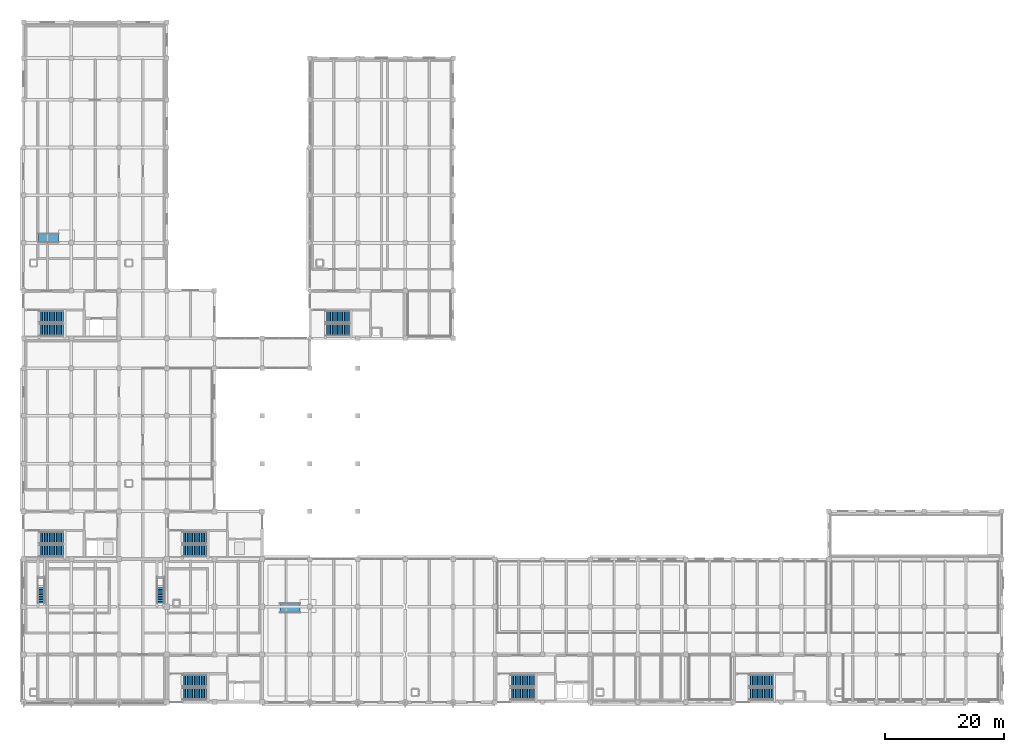
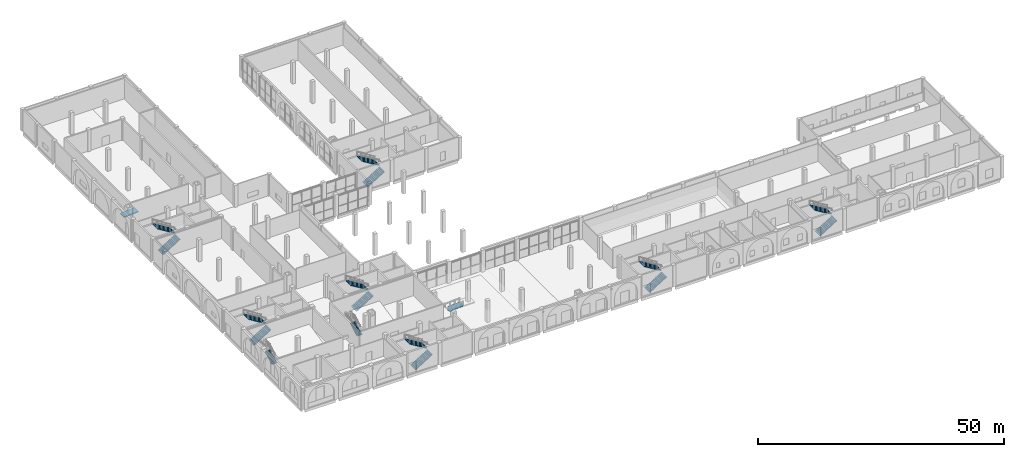
# One storey, part 26 of 40: 16 stair flights, 2 ramp flights, 11 elements without a shape of their own.
"""IFC4 building model written with IfcOpenShell, lengths in metres."""

from ifc_helpers import new_model, si_unit, direction, frame, origin, place, context, subcontext, project, spatial, polyline, outline, extrude, material, layer, layer_set, type_object, element, aggregate, save


model = new_model("IFC4")

# Units and contexts
model_context = context("Model", 3, precision=1e-05, world=origin(), true_north=direction((0.0, 1.0)))
body_context = subcontext(model_context, "Body", "Model", "MODEL_VIEW")
ifc_project = project(units=[si_unit("LENGTHUNIT", "METRE"), si_unit("AREAUNIT", "SQUARE_METRE"), si_unit("VOLUMEUNIT", "CUBIC_METRE"), si_unit("PLANEANGLEUNIT", "RADIAN"), si_unit("MASSUNIT", "GRAM", prefix="KILO")], contexts=[model_context])

# Site, building, storey
site_placement = place(None, origin())
site = spatial("IfcSite", under=ifc_project, at=site_placement, CompositionType="ELEMENT")
building_placement = place(site_placement, origin())
building = spatial("IfcBuilding", under=site, at=building_placement, Name="Qorikala Patio Media Centre", CompositionType="ELEMENT")
storey_placement = place(building_placement, origin())
storey = spatial("IfcBuildingStorey", under=building, at=storey_placement, Name="L00", CompositionType="ELEMENT", Elevation=0.0)

# Stair, stair flights
ifc_material_1 = material(Name="Precast concrete C40/50", Category="concrete")
stair_type_1 = type_object("IfcStairType", Name="ST-DL-30R180W200", PredefinedType="HALF_TURN_STAIR", material=ifc_material_1)
stair_1_placement = place(storey_placement, origin())
stair_1 = element("IfcStair", 1, at=stair_1_placement, inside=storey, type_object=stair_type_1, Name="L00 Core C1 Exit Stair ST-1", PredefinedType="HALF_TURN_STAIR")
stair_flight_type_1 = type_object("IfcStairFlightType", Name="FL-DL-15R180W200", PredefinedType="STRAIGHT", material=ifc_material_1)
stair_flight_1_placement = place(storey_placement, frame((29.60009765625, 4.39990234375, 0.0), z_axis=(0.0, 0.0, 1.0), x_axis=(1.0, 0.0, 0.0)))
stair_flight_1 = element("IfcStairFlight", 2, at=stair_flight_1_placement, type_object=stair_flight_type_1, Name="ST-1 flight 1", NumberOfRisers=15, NumberOfTreads=14, PredefinedType="STRAIGHT", RiserHeight=0.18, TreadLength=0.29, context=body_context, shape_type="SweptSolid", body=[
    extrude(outline(polyline([(0.0, 0.0), (0.0, 0.179931640625), (0.2900390625, 0.179931640625), (0.2900390625, 0.360107421875), (0.580078125, 0.360107421875), (0.580078125, 0.5400390625), (0.8701171875, 0.5400390625), (0.8701171875, 0.719970703125), (1.159912109375, 0.719970703125), (1.159912109375, 0.89990234375), (1.449951171875, 0.89990234375), (1.449951171875, 1.080078125), (1.739990234375, 1.080078125), (1.739990234375, 1.260009765625), (2.030029296875, 1.260009765625), (2.030029296875, 1.43994140625), (2.320068359375, 1.43994140625), (2.320068359375, 1.6201171875), (2.610107421875, 1.6201171875), (2.610107421875, 1.800048828125), (2.89990234375, 1.800048828125), (2.89990234375, 1.97998046875), (3.18994140625, 1.97998046875), (3.18994140625, 2.159912109375), (3.47998046875, 2.159912109375), (3.47998046875, 2.340087890625), (3.77001953125, 2.340087890625), (3.77001953125, 2.52001953125), (4.06005859375, 2.52001953125), (4.06005859375, 2.699951171875), (4.06005859375, 2.343505859375), (0.2841796875, 0.0), (0.0, 0.0)])), frame((0.0, 1.0, 0.0), z_axis=(0.0, -1.0, 0.0), x_axis=(1.0, 0.0, 0.0)), (0.0, 0.0, 1.0), 2.0),
])
stair_flight_2_placement = place(storey_placement, frame((33.659912109375, 6.60009765625, 2.699951171875), z_axis=(0.0, 0.0, 1.0), x_axis=(-1.0, 0.0, 0.0)))
stair_flight_2 = element("IfcStairFlight", 3, at=stair_flight_2_placement, type_object=stair_flight_type_1, Name="ST-1 flight 2", NumberOfRisers=15, NumberOfTreads=14, PredefinedType="STRAIGHT", RiserHeight=0.18, TreadLength=0.29, context=body_context, shape_type="SweptSolid", body=[
    extrude(outline(polyline([(0.0, 0.0), (0.0, 0.179931640625), (0.2900390625, 0.179931640625), (0.2900390625, 0.360107421875), (0.580078125, 0.360107421875), (0.580078125, 0.5400390625), (0.8701171875, 0.5400390625), (0.8701171875, 0.719970703125), (1.159912109375, 0.719970703125), (1.159912109375, 0.89990234375), (1.449951171875, 0.89990234375), (1.449951171875, 1.080078125), (1.739990234375, 1.080078125), (1.739990234375, 1.260009765625), (2.030029296875, 1.260009765625), (2.030029296875, 1.43994140625), (2.320068359375, 1.43994140625), (2.320068359375, 1.6201171875), (2.610107421875, 1.6201171875), (2.610107421875, 1.800048828125), (2.89990234375, 1.800048828125), (2.89990234375, 1.97998046875), (3.18994140625, 1.97998046875), (3.18994140625, 2.159912109375), (3.47998046875, 2.159912109375), (3.47998046875, 2.340087890625), (3.77001953125, 2.340087890625), (3.77001953125, 2.52001953125), (4.06005859375, 2.52001953125), (4.06005859375, 2.699951171875), (4.06005859375, 2.343505859375), (0.2841796875, 0.0), (0.0, 0.0)])), frame((0.0, 1.0, 0.0), z_axis=(0.0, -1.0, 0.0), x_axis=(1.0, 0.0, 0.0)), (0.0, 0.0, 1.0), 2.0),
])
aggregate(stair_1, [stair_flight_1, stair_flight_2])

stair_2_placement = place(storey_placement, origin())
stair_2 = element("IfcStair", 4, at=stair_2_placement, inside=storey, type_object=stair_type_1, Name="L00 Core C2 Exit Stair ST-2", PredefinedType="HALF_TURN_STAIR")
stair_flight_3_placement = place(storey_placement, frame((5.60009765625, 28.39990234375, 0.0), z_axis=(0.0, 0.0, 1.0), x_axis=(1.0, 0.0, 0.0)))
stair_flight_3 = element("IfcStairFlight", 5, at=stair_flight_3_placement, type_object=stair_flight_type_1, Name="ST-2 flight 1", NumberOfRisers=15, NumberOfTreads=14, PredefinedType="STRAIGHT", RiserHeight=0.18, TreadLength=0.29, context=body_context, shape_type="SweptSolid", body=[
    extrude(outline(polyline([(0.0, 0.0), (0.0, 0.179931640625), (0.2900390625, 0.179931640625), (0.2900390625, 0.360107421875), (0.580078125, 0.360107421875), (0.580078125, 0.5400390625), (0.8701171875, 0.5400390625), (0.8701171875, 0.719970703125), (1.159912109375, 0.719970703125), (1.159912109375, 0.89990234375), (1.449951171875, 0.89990234375), (1.449951171875, 1.080078125), (1.739990234375, 1.080078125), (1.739990234375, 1.260009765625), (2.030029296875, 1.260009765625), (2.030029296875, 1.43994140625), (2.320068359375, 1.43994140625), (2.320068359375, 1.6201171875), (2.610107421875, 1.6201171875), (2.610107421875, 1.800048828125), (2.89990234375, 1.800048828125), (2.89990234375, 1.97998046875), (3.18994140625, 1.97998046875), (3.18994140625, 2.159912109375), (3.47998046875, 2.159912109375), (3.47998046875, 2.340087890625), (3.77001953125, 2.340087890625), (3.77001953125, 2.52001953125), (4.06005859375, 2.52001953125), (4.06005859375, 2.699951171875), (4.06005859375, 2.343505859375), (0.2841796875, 0.0), (0.0, 0.0)])), frame((0.0, 1.0, 0.0), z_axis=(0.0, -1.0, 0.0), x_axis=(1.0, 0.0, 0.0)), (0.0, 0.0, 1.0), 2.0),
])
stair_flight_4_placement = place(storey_placement, frame((9.659912109375, 30.60009765625, 2.699951171875), z_axis=(0.0, 0.0, 1.0), x_axis=(-1.0, 0.0, 0.0)))
stair_flight_4 = element("IfcStairFlight", 6, at=stair_flight_4_placement, type_object=stair_flight_type_1, Name="ST-2 flight 2", NumberOfRisers=15, NumberOfTreads=14, PredefinedType="STRAIGHT", RiserHeight=0.18, TreadLength=0.29, context=body_context, shape_type="SweptSolid", body=[
    extrude(outline(polyline([(0.0, 0.0), (0.0, 0.179931640625), (0.2900390625, 0.179931640625), (0.2900390625, 0.360107421875), (0.580078125, 0.360107421875), (0.580078125, 0.5400390625), (0.8701171875, 0.5400390625), (0.8701171875, 0.719970703125), (1.159912109375, 0.719970703125), (1.159912109375, 0.89990234375), (1.449951171875, 0.89990234375), (1.449951171875, 1.080078125), (1.739990234375, 1.080078125), (1.739990234375, 1.260009765625), (2.030029296875, 1.260009765625), (2.030029296875, 1.43994140625), (2.320068359375, 1.43994140625), (2.320068359375, 1.6201171875), (2.610107421875, 1.6201171875), (2.610107421875, 1.800048828125), (2.89990234375, 1.800048828125), (2.89990234375, 1.97998046875), (3.18994140625, 1.97998046875), (3.18994140625, 2.159912109375), (3.47998046875, 2.159912109375), (3.47998046875, 2.340087890625), (3.77001953125, 2.340087890625), (3.77001953125, 2.52001953125), (4.06005859375, 2.52001953125), (4.06005859375, 2.699951171875), (4.06005859375, 2.343505859375), (0.2841796875, 0.0), (0.0, 0.0)])), frame((0.0, 1.0, 0.0), z_axis=(0.0, -1.0, 0.0), x_axis=(1.0, 0.0, 0.0)), (0.0, 0.0, 1.0), 2.0),
])
aggregate(stair_2, [stair_flight_3, stair_flight_4])

stair_3_placement = place(storey_placement, origin())
stair_3 = element("IfcStair", 7, at=stair_3_placement, inside=storey, type_object=stair_type_1, Name="L00 Core C3 Exit Stair ST-3", PredefinedType="HALF_TURN_STAIR")
stair_flight_5_placement = place(storey_placement, frame((5.60009765625, 65.39990234375, 0.0), z_axis=(0.0, 0.0, 1.0), x_axis=(1.0, 0.0, 0.0)))
stair_flight_5 = element("IfcStairFlight", 8, at=stair_flight_5_placement, type_object=stair_flight_type_1, Name="ST-3 flight 1", NumberOfRisers=15, NumberOfTreads=14, PredefinedType="STRAIGHT", RiserHeight=0.18, TreadLength=0.29, context=body_context, shape_type="SweptSolid", body=[
    extrude(outline(polyline([(0.0, 0.0), (0.0, 0.179931640625), (0.2900390625, 0.179931640625), (0.2900390625, 0.360107421875), (0.580078125, 0.360107421875), (0.580078125, 0.5400390625), (0.8701171875, 0.5400390625), (0.8701171875, 0.719970703125), (1.159912109375, 0.719970703125), (1.159912109375, 0.89990234375), (1.449951171875, 0.89990234375), (1.449951171875, 1.080078125), (1.739990234375, 1.080078125), (1.739990234375, 1.260009765625), (2.030029296875, 1.260009765625), (2.030029296875, 1.43994140625), (2.320068359375, 1.43994140625), (2.320068359375, 1.6201171875), (2.610107421875, 1.6201171875), (2.610107421875, 1.800048828125), (2.89990234375, 1.800048828125), (2.89990234375, 1.97998046875), (3.18994140625, 1.97998046875), (3.18994140625, 2.159912109375), (3.47998046875, 2.159912109375), (3.47998046875, 2.340087890625), (3.77001953125, 2.340087890625), (3.77001953125, 2.52001953125), (4.06005859375, 2.52001953125), (4.06005859375, 2.699951171875), (4.06005859375, 2.343505859375), (0.2841796875, 0.0), (0.0, 0.0)])), frame((0.0, 1.0, 0.0), z_axis=(0.0, -1.0, 0.0), x_axis=(1.0, 0.0, 0.0)), (0.0, 0.0, 1.0), 2.0),
])
stair_flight_6_placement = place(storey_placement, frame((9.659912109375, 67.60009765625, 2.699951171875), z_axis=(0.0, 0.0, 1.0), x_axis=(-1.0, 0.0, 0.0)))
stair_flight_6 = element("IfcStairFlight", 9, at=stair_flight_6_placement, type_object=stair_flight_type_1, Name="ST-3 flight 2", NumberOfRisers=15, NumberOfTreads=14, PredefinedType="STRAIGHT", RiserHeight=0.18, TreadLength=0.29, context=body_context, shape_type="SweptSolid", body=[
    extrude(outline(polyline([(0.0, 0.0), (0.0, 0.179931640625), (0.2900390625, 0.179931640625), (0.2900390625, 0.360107421875), (0.580078125, 0.360107421875), (0.580078125, 0.5400390625), (0.8701171875, 0.5400390625), (0.8701171875, 0.719970703125), (1.159912109375, 0.719970703125), (1.159912109375, 0.89990234375), (1.449951171875, 0.89990234375), (1.449951171875, 1.080078125), (1.739990234375, 1.080078125), (1.739990234375, 1.260009765625), (2.030029296875, 1.260009765625), (2.030029296875, 1.43994140625), (2.320068359375, 1.43994140625), (2.320068359375, 1.6201171875), (2.610107421875, 1.6201171875), (2.610107421875, 1.800048828125), (2.89990234375, 1.800048828125), (2.89990234375, 1.97998046875), (3.18994140625, 1.97998046875), (3.18994140625, 2.159912109375), (3.47998046875, 2.159912109375), (3.47998046875, 2.340087890625), (3.77001953125, 2.340087890625), (3.77001953125, 2.52001953125), (4.06005859375, 2.52001953125), (4.06005859375, 2.699951171875), (4.06005859375, 2.343505859375), (0.2841796875, 0.0), (0.0, 0.0)])), frame((0.0, 1.0, 0.0), z_axis=(0.0, -1.0, 0.0), x_axis=(1.0, 0.0, 0.0)), (0.0, 0.0, 1.0), 2.0),
])
aggregate(stair_3, [stair_flight_5, stair_flight_6])

stair_4_placement = place(storey_placement, origin())
stair_4 = element("IfcStair", 10, at=stair_4_placement, inside=storey, type_object=stair_type_1, Name="L00 Core C4 Exit Stair ST-4", PredefinedType="HALF_TURN_STAIR")
stair_flight_7_placement = place(storey_placement, frame((84.60009765625, 4.39990234375, 0.0), z_axis=(0.0, 0.0, 1.0), x_axis=(1.0, 0.0, 0.0)))
stair_flight_7 = element("IfcStairFlight", 11, at=stair_flight_7_placement, type_object=stair_flight_type_1, Name="ST-4 flight 1", NumberOfRisers=15, NumberOfTreads=14, PredefinedType="STRAIGHT", RiserHeight=0.18, TreadLength=0.29, context=body_context, shape_type="SweptSolid", body=[
    extrude(outline(polyline([(0.0, 0.0), (0.0, 0.179931640625), (0.2900390625, 0.179931640625), (0.2900390625, 0.360107421875), (0.580078125, 0.360107421875), (0.580078125, 0.5400390625), (0.8701171875, 0.5400390625), (0.8701171875, 0.719970703125), (1.159912109375, 0.719970703125), (1.159912109375, 0.89990234375), (1.449951171875, 0.89990234375), (1.449951171875, 1.080078125), (1.739990234375, 1.080078125), (1.739990234375, 1.260009765625), (2.030029296875, 1.260009765625), (2.030029296875, 1.43994140625), (2.320068359375, 1.43994140625), (2.320068359375, 1.6201171875), (2.610107421875, 1.6201171875), (2.610107421875, 1.800048828125), (2.89990234375, 1.800048828125), (2.89990234375, 1.97998046875), (3.18994140625, 1.97998046875), (3.18994140625, 2.159912109375), (3.47998046875, 2.159912109375), (3.47998046875, 2.340087890625), (3.77001953125, 2.340087890625), (3.77001953125, 2.52001953125), (4.06005859375, 2.52001953125), (4.06005859375, 2.699951171875), (4.06005859375, 2.343505859375), (0.2841796875, 0.0), (0.0, 0.0)])), frame((0.0, 1.0, 0.0), z_axis=(0.0, -1.0, 0.0), x_axis=(1.0, 0.0, 0.0)), (0.0, 0.0, 1.0), 2.0),
])
stair_flight_8_placement = place(storey_placement, frame((88.659912109375, 6.60009765625, 2.699951171875), z_axis=(0.0, 0.0, 1.0), x_axis=(-1.0, 0.0, 0.0)))
stair_flight_8 = element("IfcStairFlight", 12, at=stair_flight_8_placement, type_object=stair_flight_type_1, Name="ST-4 flight 2", NumberOfRisers=15, NumberOfTreads=14, PredefinedType="STRAIGHT", RiserHeight=0.18, TreadLength=0.29, context=body_context, shape_type="SweptSolid", body=[
    extrude(outline(polyline([(0.0, 0.0), (0.0, 0.179931640625), (0.2900390625, 0.179931640625), (0.2900390625, 0.360107421875), (0.580078125, 0.360107421875), (0.580078125, 0.5400390625), (0.8701171875, 0.5400390625), (0.8701171875, 0.719970703125), (1.159912109375, 0.719970703125), (1.159912109375, 0.89990234375), (1.449951171875, 0.89990234375), (1.449951171875, 1.080078125), (1.739990234375, 1.080078125), (1.739990234375, 1.260009765625), (2.030029296875, 1.260009765625), (2.030029296875, 1.43994140625), (2.320068359375, 1.43994140625), (2.320068359375, 1.6201171875), (2.610107421875, 1.6201171875), (2.610107421875, 1.800048828125), (2.89990234375, 1.800048828125), (2.89990234375, 1.97998046875), (3.18994140625, 1.97998046875), (3.18994140625, 2.159912109375), (3.47998046875, 2.159912109375), (3.47998046875, 2.340087890625), (3.77001953125, 2.340087890625), (3.77001953125, 2.52001953125), (4.06005859375, 2.52001953125), (4.06005859375, 2.699951171875), (4.06005859375, 2.343505859375), (0.2841796875, 0.0), (0.0, 0.0)])), frame((0.0, 1.0, 0.0), z_axis=(0.0, -1.0, 0.0), x_axis=(1.0, 0.0, 0.0)), (0.0, 0.0, 1.0), 2.0),
])
aggregate(stair_4, [stair_flight_7, stair_flight_8])

stair_5_placement = place(storey_placement, origin())
stair_5 = element("IfcStair", 13, at=stair_5_placement, inside=storey, type_object=stair_type_1, Name="L00 Core C5 Exit Stair ST-5", PredefinedType="HALF_TURN_STAIR")
stair_flight_9_placement = place(storey_placement, frame((29.60009765625, 28.39990234375, 0.0), z_axis=(0.0, 0.0, 1.0), x_axis=(1.0, 0.0, 0.0)))
stair_flight_9 = element("IfcStairFlight", 14, at=stair_flight_9_placement, type_object=stair_flight_type_1, Name="ST-5 flight 1", NumberOfRisers=15, NumberOfTreads=14, PredefinedType="STRAIGHT", RiserHeight=0.18, TreadLength=0.29, context=body_context, shape_type="SweptSolid", body=[
    extrude(outline(polyline([(0.0, 0.0), (0.0, 0.179931640625), (0.2900390625, 0.179931640625), (0.2900390625, 0.360107421875), (0.580078125, 0.360107421875), (0.580078125, 0.5400390625), (0.8701171875, 0.5400390625), (0.8701171875, 0.719970703125), (1.159912109375, 0.719970703125), (1.159912109375, 0.89990234375), (1.449951171875, 0.89990234375), (1.449951171875, 1.080078125), (1.739990234375, 1.080078125), (1.739990234375, 1.260009765625), (2.030029296875, 1.260009765625), (2.030029296875, 1.43994140625), (2.320068359375, 1.43994140625), (2.320068359375, 1.6201171875), (2.610107421875, 1.6201171875), (2.610107421875, 1.800048828125), (2.89990234375, 1.800048828125), (2.89990234375, 1.97998046875), (3.18994140625, 1.97998046875), (3.18994140625, 2.159912109375), (3.47998046875, 2.159912109375), (3.47998046875, 2.340087890625), (3.77001953125, 2.340087890625), (3.77001953125, 2.52001953125), (4.06005859375, 2.52001953125), (4.06005859375, 2.699951171875), (4.06005859375, 2.343505859375), (0.2841796875, 0.0), (0.0, 0.0)])), frame((0.0, 1.0, 0.0), z_axis=(0.0, -1.0, 0.0), x_axis=(1.0, 0.0, 0.0)), (0.0, 0.0, 1.0), 2.0),
])
stair_flight_10_placement = place(storey_placement, frame((33.659912109375, 30.60009765625, 2.699951171875), z_axis=(0.0, 0.0, 1.0), x_axis=(-1.0, 0.0, 0.0)))
stair_flight_10 = element("IfcStairFlight", 15, at=stair_flight_10_placement, type_object=stair_flight_type_1, Name="ST-5 flight 2", NumberOfRisers=15, NumberOfTreads=14, PredefinedType="STRAIGHT", RiserHeight=0.18, TreadLength=0.29, context=body_context, shape_type="SweptSolid", body=[
    extrude(outline(polyline([(0.0, 0.0), (0.0, 0.179931640625), (0.2900390625, 0.179931640625), (0.2900390625, 0.360107421875), (0.580078125, 0.360107421875), (0.580078125, 0.5400390625), (0.8701171875, 0.5400390625), (0.8701171875, 0.719970703125), (1.159912109375, 0.719970703125), (1.159912109375, 0.89990234375), (1.449951171875, 0.89990234375), (1.449951171875, 1.080078125), (1.739990234375, 1.080078125), (1.739990234375, 1.260009765625), (2.030029296875, 1.260009765625), (2.030029296875, 1.43994140625), (2.320068359375, 1.43994140625), (2.320068359375, 1.6201171875), (2.610107421875, 1.6201171875), (2.610107421875, 1.800048828125), (2.89990234375, 1.800048828125), (2.89990234375, 1.97998046875), (3.18994140625, 1.97998046875), (3.18994140625, 2.159912109375), (3.47998046875, 2.159912109375), (3.47998046875, 2.340087890625), (3.77001953125, 2.340087890625), (3.77001953125, 2.52001953125), (4.06005859375, 2.52001953125), (4.06005859375, 2.699951171875), (4.06005859375, 2.343505859375), (0.2841796875, 0.0), (0.0, 0.0)])), frame((0.0, 1.0, 0.0), z_axis=(0.0, -1.0, 0.0), x_axis=(1.0, 0.0, 0.0)), (0.0, 0.0, 1.0), 2.0),
])
aggregate(stair_5, [stair_flight_9, stair_flight_10])

stair_6_placement = place(storey_placement, origin())
stair_6 = element("IfcStair", 16, at=stair_6_placement, inside=storey, type_object=stair_type_1, Name="L00 Core C6 Exit Stair ST-6", PredefinedType="HALF_TURN_STAIR")
stair_flight_11_placement = place(storey_placement, frame((53.60009765625, 65.39990234375, 0.0), z_axis=(0.0, 0.0, 1.0), x_axis=(1.0, 0.0, 0.0)))
stair_flight_11 = element("IfcStairFlight", 17, at=stair_flight_11_placement, type_object=stair_flight_type_1, Name="ST-6 flight 1", NumberOfRisers=15, NumberOfTreads=14, PredefinedType="STRAIGHT", RiserHeight=0.18, TreadLength=0.29, context=body_context, shape_type="SweptSolid", body=[
    extrude(outline(polyline([(0.0, 0.0), (0.0, 0.179931640625), (0.2900390625, 0.179931640625), (0.2900390625, 0.360107421875), (0.580078125, 0.360107421875), (0.580078125, 0.5400390625), (0.8701171875, 0.5400390625), (0.8701171875, 0.719970703125), (1.159912109375, 0.719970703125), (1.159912109375, 0.89990234375), (1.449951171875, 0.89990234375), (1.449951171875, 1.080078125), (1.739990234375, 1.080078125), (1.739990234375, 1.260009765625), (2.030029296875, 1.260009765625), (2.030029296875, 1.43994140625), (2.320068359375, 1.43994140625), (2.320068359375, 1.6201171875), (2.610107421875, 1.6201171875), (2.610107421875, 1.800048828125), (2.89990234375, 1.800048828125), (2.89990234375, 1.97998046875), (3.18994140625, 1.97998046875), (3.18994140625, 2.159912109375), (3.47998046875, 2.159912109375), (3.47998046875, 2.340087890625), (3.77001953125, 2.340087890625), (3.77001953125, 2.52001953125), (4.06005859375, 2.52001953125), (4.06005859375, 2.699951171875), (4.06005859375, 2.343505859375), (0.2841796875, 0.0), (0.0, 0.0)])), frame((0.0, 1.0, 0.0), z_axis=(0.0, -1.0, 0.0), x_axis=(1.0, 0.0, 0.0)), (0.0, 0.0, 1.0), 2.0),
])
stair_flight_12_placement = place(storey_placement, frame((57.659912109375, 67.60009765625, 2.699951171875), z_axis=(0.0, 0.0, 1.0), x_axis=(-1.0, 0.0, 0.0)))
stair_flight_12 = element("IfcStairFlight", 18, at=stair_flight_12_placement, type_object=stair_flight_type_1, Name="ST-6 flight 2", NumberOfRisers=15, NumberOfTreads=14, PredefinedType="STRAIGHT", RiserHeight=0.18, TreadLength=0.29, context=body_context, shape_type="SweptSolid", body=[
    extrude(outline(polyline([(0.0, 0.0), (0.0, 0.179931640625), (0.2900390625, 0.179931640625), (0.2900390625, 0.360107421875), (0.580078125, 0.360107421875), (0.580078125, 0.5400390625), (0.8701171875, 0.5400390625), (0.8701171875, 0.719970703125), (1.159912109375, 0.719970703125), (1.159912109375, 0.89990234375), (1.449951171875, 0.89990234375), (1.449951171875, 1.080078125), (1.739990234375, 1.080078125), (1.739990234375, 1.260009765625), (2.030029296875, 1.260009765625), (2.030029296875, 1.43994140625), (2.320068359375, 1.43994140625), (2.320068359375, 1.6201171875), (2.610107421875, 1.6201171875), (2.610107421875, 1.800048828125), (2.89990234375, 1.800048828125), (2.89990234375, 1.97998046875), (3.18994140625, 1.97998046875), (3.18994140625, 2.159912109375), (3.47998046875, 2.159912109375), (3.47998046875, 2.340087890625), (3.77001953125, 2.340087890625), (3.77001953125, 2.52001953125), (4.06005859375, 2.52001953125), (4.06005859375, 2.699951171875), (4.06005859375, 2.343505859375), (0.2841796875, 0.0), (0.0, 0.0)])), frame((0.0, 1.0, 0.0), z_axis=(0.0, -1.0, 0.0), x_axis=(1.0, 0.0, 0.0)), (0.0, 0.0, 1.0), 2.0),
])
aggregate(stair_6, [stair_flight_11, stair_flight_12])

stair_7_placement = place(storey_placement, origin())
stair_7 = element("IfcStair", 19, at=stair_7_placement, inside=storey, type_object=stair_type_1, Name="L00 Core C7 Exit Stair ST-7", PredefinedType="HALF_TURN_STAIR")
stair_flight_13_placement = place(storey_placement, frame((124.60009765625, 4.39990234375, 0.0), z_axis=(0.0, 0.0, 1.0), x_axis=(1.0, 0.0, 0.0)))
stair_flight_13 = element("IfcStairFlight", 20, at=stair_flight_13_placement, type_object=stair_flight_type_1, Name="ST-7 flight 1", NumberOfRisers=15, NumberOfTreads=14, PredefinedType="STRAIGHT", RiserHeight=0.18, TreadLength=0.29, context=body_context, shape_type="SweptSolid", body=[
    extrude(outline(polyline([(0.0, 0.0), (0.0, 0.179931640625), (0.2900390625, 0.179931640625), (0.2900390625, 0.360107421875), (0.580078125, 0.360107421875), (0.580078125, 0.5400390625), (0.8701171875, 0.5400390625), (0.8701171875, 0.719970703125), (1.159912109375, 0.719970703125), (1.159912109375, 0.89990234375), (1.449951171875, 0.89990234375), (1.449951171875, 1.080078125), (1.739990234375, 1.080078125), (1.739990234375, 1.260009765625), (2.030029296875, 1.260009765625), (2.030029296875, 1.43994140625), (2.320068359375, 1.43994140625), (2.320068359375, 1.6201171875), (2.610107421875, 1.6201171875), (2.610107421875, 1.800048828125), (2.89990234375, 1.800048828125), (2.89990234375, 1.97998046875), (3.18994140625, 1.97998046875), (3.18994140625, 2.159912109375), (3.47998046875, 2.159912109375), (3.47998046875, 2.340087890625), (3.77001953125, 2.340087890625), (3.77001953125, 2.52001953125), (4.06005859375, 2.52001953125), (4.06005859375, 2.699951171875), (4.06005859375, 2.343505859375), (0.2841796875, 0.0), (0.0, 0.0)])), frame((0.0, 1.0, 0.0), z_axis=(0.0, -1.0, 0.0), x_axis=(1.0, 0.0, 0.0)), (0.0, 0.0, 1.0), 2.0),
])
stair_flight_14_placement = place(storey_placement, frame((128.659912109375, 6.60009765625, 2.699951171875), z_axis=(0.0, 0.0, 1.0), x_axis=(-1.0, 0.0, 0.0)))
stair_flight_14 = element("IfcStairFlight", 21, at=stair_flight_14_placement, type_object=stair_flight_type_1, Name="ST-7 flight 2", NumberOfRisers=15, NumberOfTreads=14, PredefinedType="STRAIGHT", RiserHeight=0.18, TreadLength=0.29, context=body_context, shape_type="SweptSolid", body=[
    extrude(outline(polyline([(0.0, 0.0), (0.0, 0.179931640625), (0.2900390625, 0.179931640625), (0.2900390625, 0.360107421875), (0.580078125, 0.360107421875), (0.580078125, 0.5400390625), (0.8701171875, 0.5400390625), (0.8701171875, 0.719970703125), (1.159912109375, 0.719970703125), (1.159912109375, 0.89990234375), (1.449951171875, 0.89990234375), (1.449951171875, 1.080078125), (1.739990234375, 1.080078125), (1.739990234375, 1.260009765625), (2.030029296875, 1.260009765625), (2.030029296875, 1.43994140625), (2.320068359375, 1.43994140625), (2.320068359375, 1.6201171875), (2.610107421875, 1.6201171875), (2.610107421875, 1.800048828125), (2.89990234375, 1.800048828125), (2.89990234375, 1.97998046875), (3.18994140625, 1.97998046875), (3.18994140625, 2.159912109375), (3.47998046875, 2.159912109375), (3.47998046875, 2.340087890625), (3.77001953125, 2.340087890625), (3.77001953125, 2.52001953125), (4.06005859375, 2.52001953125), (4.06005859375, 2.699951171875), (4.06005859375, 2.343505859375), (0.2841796875, 0.0), (0.0, 0.0)])), frame((0.0, 1.0, 0.0), z_axis=(0.0, -1.0, 0.0), x_axis=(1.0, 0.0, 0.0)), (0.0, 0.0, 1.0), 2.0),
])
aggregate(stair_7, [stair_flight_13, stair_flight_14])

# Stair, stair flight
ifc_material_2 = material(Name="Concrete C35/45", Category="concrete")
stair_type_2 = type_object("IfcStairType", Name="ST-VOM-STR", PredefinedType="STRAIGHT_RUN_STAIR", material=ifc_material_2)
stair_8_placement = place(storey_placement, origin())
stair_8 = element("IfcStair", 22, at=stair_8_placement, inside=storey, type_object=stair_type_2, Name="Vomitory Stair VS-01", PredefinedType="STRAIGHT_RUN_STAIR")
stair_flight_type_2 = type_object("IfcStairFlightType", Name="FL-VOM-STR", PredefinedType="STRAIGHT", material=ifc_material_2)
stair_flight_15_placement = place(storey_placement, frame((5.949951171875, 19.60009765625, 0.0), z_axis=(0.0, 0.0, 1.0), x_axis=(0.0, 1.0, 0.0)))
stair_flight_15 = element("IfcStairFlight", 23, at=stair_flight_15_placement, type_object=stair_flight_type_2, Name="VS-01 flight 1", NumberOfRisers=11, NumberOfTreads=10, PredefinedType="STRAIGHT", RiserHeight=0.16364, TreadLength=0.29, context=body_context, shape_type="SweptSolid", body=[
    extrude(outline(polyline([(0.0, 0.0), (0.0, 0.16357421875), (0.2900390625, 0.16357421875), (0.2900390625, 0.327392578125), (0.580078125, 0.327392578125), (0.580078125, 0.490966796875), (0.8701171875, 0.490966796875), (0.8701171875, 0.654541015625), (1.159912109375, 0.654541015625), (1.159912109375, 0.818115234375), (1.449951171875, 0.818115234375), (1.449951171875, 0.98193359375), (1.739990234375, 0.98193359375), (1.739990234375, 1.1455078125), (2.030029296875, 1.1455078125), (2.030029296875, 1.30908203125), (2.320068359375, 1.30908203125), (2.320068359375, 1.47265625), (2.610107421875, 1.47265625), (2.610107421875, 1.636474609375), (2.89990234375, 1.636474609375), (2.89990234375, 1.800048828125), (2.89990234375, 1.4296875), (0.3662109375, 0.0), (0.0, 0.0)])), frame((0.0, 0.625, 0.0), z_axis=(0.0, -1.0, 0.0), x_axis=(1.0, 0.0, 0.0)), (0.0, 0.0, 1.0), 1.25),
])
aggregate(stair_8, [stair_flight_15])

stair_9_placement = place(storey_placement, origin())
stair_9 = element("IfcStair", 24, at=stair_9_placement, inside=storey, type_object=stair_type_2, Name="Vomitory Stair VS-02", PredefinedType="STRAIGHT_RUN_STAIR")
stair_flight_16_placement = place(storey_placement, frame((25.949951171875, 19.60009765625, 0.0), z_axis=(0.0, 0.0, 1.0), x_axis=(0.0, 1.0, 0.0)))
stair_flight_16 = element("IfcStairFlight", 25, at=stair_flight_16_placement, type_object=stair_flight_type_2, Name="VS-02 flight 1", NumberOfRisers=11, NumberOfTreads=10, PredefinedType="STRAIGHT", RiserHeight=0.16364, TreadLength=0.29, context=body_context, shape_type="SweptSolid", body=[
    extrude(outline(polyline([(0.0, 0.0), (0.0, 0.16357421875), (0.2900390625, 0.16357421875), (0.2900390625, 0.327392578125), (0.580078125, 0.327392578125), (0.580078125, 0.490966796875), (0.8701171875, 0.490966796875), (0.8701171875, 0.654541015625), (1.159912109375, 0.654541015625), (1.159912109375, 0.818115234375), (1.449951171875, 0.818115234375), (1.449951171875, 0.98193359375), (1.739990234375, 0.98193359375), (1.739990234375, 1.1455078125), (2.030029296875, 1.1455078125), (2.030029296875, 1.30908203125), (2.320068359375, 1.30908203125), (2.320068359375, 1.47265625), (2.610107421875, 1.47265625), (2.610107421875, 1.636474609375), (2.89990234375, 1.636474609375), (2.89990234375, 1.800048828125), (2.89990234375, 1.4296875), (0.3662109375, 0.0), (0.0, 0.0)])), frame((0.0, 0.625, 0.0), z_axis=(0.0, -1.0, 0.0), x_axis=(1.0, 0.0, 0.0)), (0.0, 0.0, 1.0), 1.25),
])
aggregate(stair_9, [stair_flight_16])

# Ramp, ramp flight
ifc_material_3 = material(Name="Comanche Granite and Concrete C35/45", Category="masonry")
ramp_type = type_object("IfcRampType", Name="RMP-PED", PredefinedType="STRAIGHT_RUN_RAMP", material=ifc_material_3)
ramp_1_placement = place(storey_placement, origin())
ramp_1 = element("IfcRamp", 26, at=ramp_1_placement, inside=storey, type_object=ramp_type, Name="L00 Accessible Pedestrian Ramp RP-01", PredefinedType="STRAIGHT_RUN_RAMP")
ifc_layer = layer(ifc_material_3, 0.219970703125)
ifc_layer_set = layer_set([ifc_layer], Name="Comanche Granite and Concrete C35/45")
ramp_flight_type = type_object("IfcRampFlightType", Name="RMF-PED", PredefinedType="STRAIGHT", material=ifc_layer_set)
ramp_flight_1_placement = place(storey_placement, frame((5.5, 80.0, 0.0), z_axis=(-0.071241899553, 0.0, 0.997459067706), x_axis=(0.997459067706, 0.0, 0.071241899553)))
ramp_flight_1 = element("IfcRampFlight", 27, at=ramp_flight_1_placement, type_object=ramp_flight_type, Name="L00 Accessible Ramp Flight RP-01", PredefinedType="STRAIGHT", context=body_context, shape_type="SweptSolid", body=[
    extrude(outline(polyline([(0.0, 0.0), (3.3686669765850747, 0.0), (3.3686669765850747, 1.60009765625), (0.0, 1.60009765625), (0.0, 0.0)])), origin(), (0.0, 0.0, -1.0), 0.219970703125),
])
aggregate(ramp_1, [ramp_flight_1])

ramp_2_placement = place(storey_placement, origin())
ramp_2 = element("IfcRamp", 28, at=ramp_2_placement, inside=storey, type_object=ramp_type, Name="L00 Accessible Pedestrian Ramp RP-04", PredefinedType="STRAIGHT_RUN_RAMP")
ramp_flight_2_placement = place(storey_placement, frame((46.0, 18.0, 0.0), z_axis=(-0.071241899553, 0.0, 0.997459067706), x_axis=(0.997459067706, 0.0, 0.071241899553)))
ramp_flight_2 = element("IfcRampFlight", 29, at=ramp_flight_2_placement, type_object=ramp_flight_type, Name="L00 Accessible Ramp Flight RP-04", PredefinedType="STRAIGHT", context=body_context, shape_type="SweptSolid", body=[
    extrude(outline(polyline([(0.0, 0.0), (3.3686669765850747, 0.0), (3.3686669765850747, 1.60009765625), (0.0, 1.60009765625), (0.0, 0.0)])), origin(), (0.0, 0.0, -1.0), 0.219970703125),
])
aggregate(ramp_2, [ramp_flight_2])

save(model, "model.ifc")
